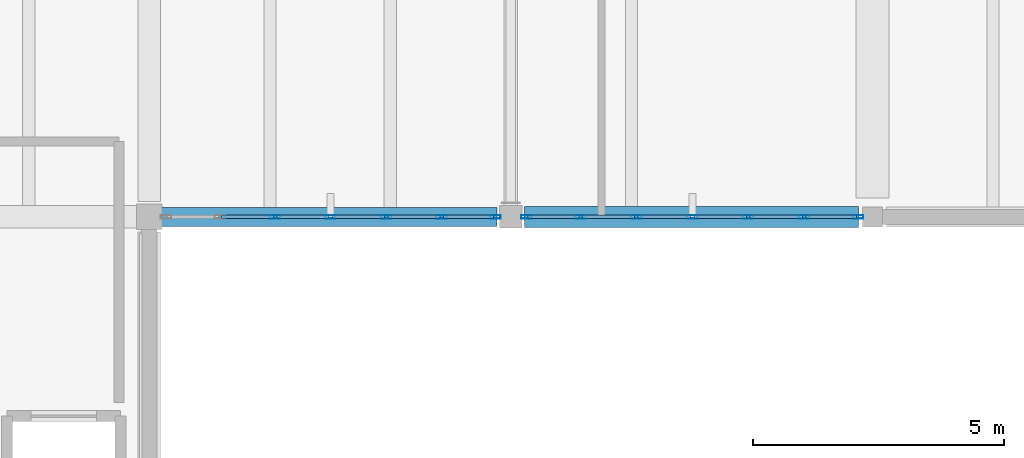
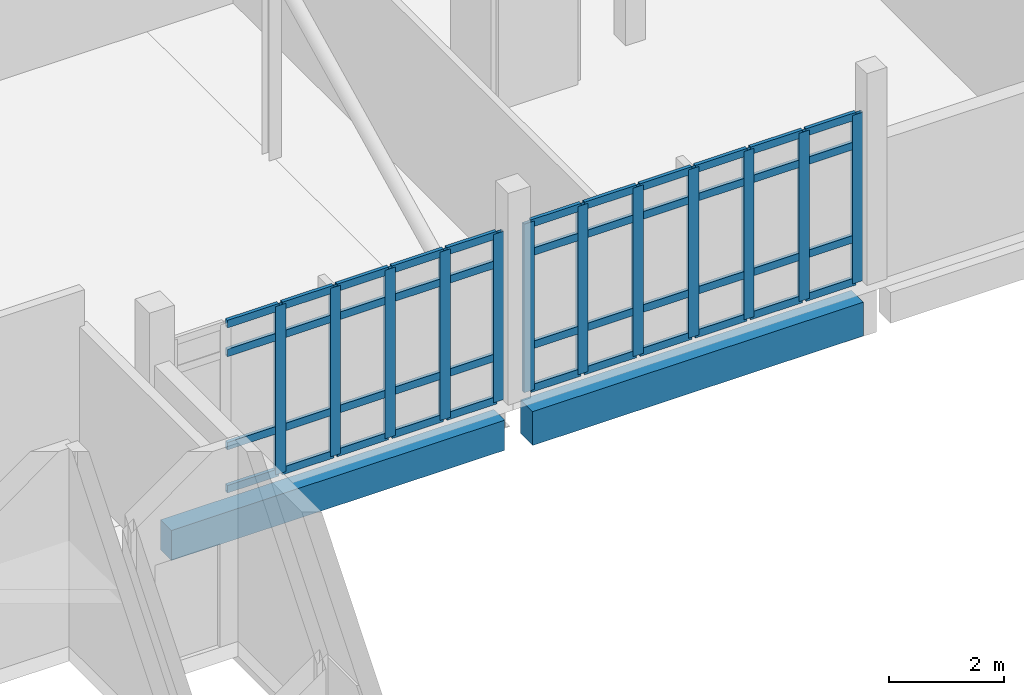
# One storey, part 8 of 34: 56 members, 2 beams, 2 elements without a shape of their own.
"""IFC4 building model written with IfcOpenShell, lengths in metres."""

from ifc_helpers import new_model, si_unit, direction, frame, origin, origin_2d, place, context, subcontext, project, spatial, rectangle, hollow_rectangle, extrude, material, material_profile, profile_set, type_object, element, aggregate, save


model = new_model("IFC4")

# Units and contexts
model_context = context("Model", 3, precision=1e-05, world=origin(), true_north=direction((0.0, 1.0)))
body_context = subcontext(model_context, "Body", "Model", "MODEL_VIEW")
ifc_project = project(units=[si_unit("LENGTHUNIT", "METRE"), si_unit("AREAUNIT", "SQUARE_METRE"), si_unit("VOLUMEUNIT", "CUBIC_METRE"), si_unit("PLANEANGLEUNIT", "RADIAN"), si_unit("MASSUNIT", "GRAM", prefix="KILO")], contexts=[model_context])

# Site, building, storey
site_placement = place(None, origin())
site = spatial("IfcSite", under=ifc_project, at=site_placement, CompositionType="ELEMENT")
building_placement = place(site_placement, origin())
building = spatial("IfcBuilding", under=site, at=building_placement, Name="Kalluvel Institute of Natural Sciences", CompositionType="ELEMENT")
storey_placement = place(building_placement, frame((0.0, 0.0, 36.89990234375)))
storey = spatial("IfcBuildingStorey", under=building, at=storey_placement, Name="L08", CompositionType="ELEMENT", Elevation=36.89990234375)

# Beams
ifc_material_1 = material(Name="Concrete M40", Category="concrete")
ifc_material_profile_1 = material_profile(ifc_material_1, rectangle(XDim=0.3798828125, YDim=0.639892578125, at=origin_2d()), Name="RCB 380x640")
ifc_profile_set_1 = profile_set([ifc_material_profile_1], Name="Concrete M40")
beam_type_1 = type_object("IfcBeamType", Name="BM-RC380x640", PredefinedType="BEAM", material=ifc_profile_set_1)
beam_1_placement = place(storey_placement, frame((57.425048828125, 102.800048828125, -0.639892578125), z_axis=(1.0, 0.0, 0.0), x_axis=(0.0, 1.0, 0.0)))
element("IfcBeam", 1, at=beam_1_placement, inside=storey, type_object=beam_type_1, Name="L08 girder GIR-L08-EW-X572-Y1028", PredefinedType="BEAM", context=body_context, shape_type="SweptSolid", body=[
    extrude(rectangle(XDim=0.3798828125, YDim=0.639892578125, at=origin_2d()), origin(), (0.0, 0.0, 1.0), 6.699951171875),
])
ifc_material_profile_2 = material_profile(ifc_material_1, rectangle(XDim=0.419921875, YDim=0.719970703125, at=origin_2d()), Name="RCB 420x720")
ifc_profile_set_2 = profile_set([ifc_material_profile_2], Name="Concrete M40")
beam_type_2 = type_object("IfcBeamType", Name="BM-RC420x720", PredefinedType="BEAM", material=ifc_profile_set_2)
beam_2_placement = place(storey_placement, frame((64.675048828125, 102.800048828125, -0.679931640625), z_axis=(1.0, 0.0, 0.0), x_axis=(0.0, 1.0, 0.0)))
element("IfcBeam", 2, at=beam_2_placement, inside=storey, type_object=beam_type_2, Name="L08 girder GIR-L08-EW-X644-Y1028", PredefinedType="BEAM", context=body_context, shape_type="SweptSolid", body=[
    extrude(rectangle(XDim=0.419921875, YDim=0.719970703125, at=origin_2d()), origin(), (0.0, 0.0, 1.0), 6.64990234375),
])

# Curtain wall, members
ifc_material_2 = material(Name="Aluminium AW-6063 T6", Category="aluminium")
curtain_wall_type = type_object("IfcCurtainWallType", Name="CW-WET-45", PredefinedType="USERDEFINED", material=ifc_material_2)
curtain_wall_1_placement = place(storey_placement, origin())
curtain_wall_1 = element("IfcCurtainWall", 3, at=curtain_wall_1_placement, inside=storey, type_object=curtain_wall_type, Name="L08 Gothic lancet curtain wall CWA-L08-X575-Y1028", ObjectType="UNITISED LANCET FACADE", PredefinedType="USERDEFINED")
ifc_material_profile_3 = material_profile(ifc_material_2, hollow_rectangle(XDim=0.070068359375, YDim=0.2099609375, WallThickness=0.0048828125, at=origin_2d()), Name="CWM 70x210")
ifc_profile_set_3 = profile_set([ifc_material_profile_3], Name="Aluminium AW-6063 T6")
member_type_1 = type_object("IfcMemberType", Name="CWM-70x210", PredefinedType="MULLION", material=ifc_profile_set_3)
member_1_placement = place(storey_placement, frame((59.708251953125, 102.800048828125, 0.0), z_axis=(0.0, 0.0, 1.0), x_axis=(0.0, 1.0, 0.0)))
member_1 = element("IfcMember", 4, at=member_1_placement, type_object=member_type_1, Name="CW-01 mullion 3", PredefinedType="MULLION", context=body_context, shape_type="SweptSolid", body=[
    extrude(hollow_rectangle(XDim=0.070068359375, YDim=0.2099609375, WallThickness=0.0048828125, at=origin_2d()), origin(), (0.0, 0.0, 1.0), 3.580078125),
])
member_2_placement = place(storey_placement, frame((60.8125, 102.800048828125, 0.0), z_axis=(0.0, 0.0, 1.0), x_axis=(0.0, 1.0, 0.0)))
member_2 = element("IfcMember", 5, at=member_2_placement, type_object=member_type_1, Name="CW-01 mullion 4", PredefinedType="MULLION", context=body_context, shape_type="SweptSolid", body=[
    extrude(hollow_rectangle(XDim=0.070068359375, YDim=0.2099609375, WallThickness=0.0048828125, at=origin_2d()), origin(), (0.0, 0.0, 1.0), 3.580078125),
])
member_3_placement = place(storey_placement, frame((61.916748046875, 102.800048828125, 0.0), z_axis=(0.0, 0.0, 1.0), x_axis=(0.0, 1.0, 0.0)))
member_3 = element("IfcMember", 6, at=member_3_placement, type_object=member_type_1, Name="CW-01 mullion 5", PredefinedType="MULLION", context=body_context, shape_type="SweptSolid", body=[
    extrude(hollow_rectangle(XDim=0.070068359375, YDim=0.2099609375, WallThickness=0.0048828125, at=origin_2d()), origin(), (0.0, 0.0, 1.0), 3.580078125),
])
member_4_placement = place(storey_placement, frame((63.020751953125, 102.800048828125, 0.0), z_axis=(0.0, 0.0, 1.0), x_axis=(0.0, 1.0, 0.0)))
member_4 = element("IfcMember", 7, at=member_4_placement, type_object=member_type_1, Name="CW-01 mullion 6", PredefinedType="MULLION", context=body_context, shape_type="SweptSolid", body=[
    extrude(hollow_rectangle(XDim=0.070068359375, YDim=0.2099609375, WallThickness=0.0048828125, at=origin_2d()), origin(), (0.0, 0.0, 1.0), 3.580078125),
])
member_5_placement = place(storey_placement, frame((64.090087890625, 102.800048828125, 0.0), z_axis=(0.0, 0.0, 1.0), x_axis=(0.0, 1.0, 0.0)))
member_5 = element("IfcMember", 8, at=member_5_placement, type_object=member_type_1, Name="CW-01 mullion 7", PredefinedType="MULLION", context=body_context, shape_type="SweptSolid", body=[
    extrude(hollow_rectangle(XDim=0.070068359375, YDim=0.2099609375, WallThickness=0.0048828125, at=origin_2d()), origin(), (0.0, 0.0, 1.0), 3.580078125),
])

curtain_wall_2_placement = place(storey_placement, origin())
curtain_wall_2 = element("IfcCurtainWall", 9, at=curtain_wall_2_placement, inside=storey, type_object=curtain_wall_type, Name="L08 Gothic lancet curtain wall CWA-L08-X647-Y1028", ObjectType="UNITISED LANCET FACADE", PredefinedType="USERDEFINED")
member_6_placement = place(storey_placement, frame((64.7099609375, 102.800048828125, 0.0), z_axis=(0.0, 0.0, 1.0), x_axis=(0.0, 1.0, 0.0)))
member_6 = element("IfcMember", 10, at=member_6_placement, type_object=member_type_1, Name="CW-01 mullion 1", PredefinedType="MULLION", context=body_context, shape_type="SweptSolid", body=[
    extrude(hollow_rectangle(XDim=0.070068359375, YDim=0.2099609375, WallThickness=0.0048828125, at=origin_2d()), origin(), (0.0, 0.0, 1.0), 3.580078125),
])
member_7_placement = place(storey_placement, frame((65.78759765625, 102.800048828125, 0.0), z_axis=(0.0, 0.0, 1.0), x_axis=(0.0, 1.0, 0.0)))
member_7 = element("IfcMember", 11, at=member_7_placement, type_object=member_type_1, Name="CW-01 mullion 2", PredefinedType="MULLION", context=body_context, shape_type="SweptSolid", body=[
    extrude(hollow_rectangle(XDim=0.070068359375, YDim=0.2099609375, WallThickness=0.0048828125, at=origin_2d()), origin(), (0.0, 0.0, 1.0), 3.580078125),
])
member_8_placement = place(storey_placement, frame((66.89990234375, 102.800048828125, 0.0), z_axis=(0.0, 0.0, 1.0), x_axis=(0.0, 1.0, 0.0)))
member_8 = element("IfcMember", 12, at=member_8_placement, type_object=member_type_1, Name="CW-01 mullion 3", PredefinedType="MULLION", context=body_context, shape_type="SweptSolid", body=[
    extrude(hollow_rectangle(XDim=0.070068359375, YDim=0.2099609375, WallThickness=0.0048828125, at=origin_2d()), origin(), (0.0, 0.0, 1.0), 3.580078125),
])
member_9_placement = place(storey_placement, frame((68.012451171875, 102.800048828125, 0.0), z_axis=(0.0, 0.0, 1.0), x_axis=(0.0, 1.0, 0.0)))
member_9 = element("IfcMember", 13, at=member_9_placement, type_object=member_type_1, Name="CW-01 mullion 4", PredefinedType="MULLION", context=body_context, shape_type="SweptSolid", body=[
    extrude(hollow_rectangle(XDim=0.070068359375, YDim=0.2099609375, WallThickness=0.0048828125, at=origin_2d()), origin(), (0.0, 0.0, 1.0), 3.580078125),
])
member_10_placement = place(storey_placement, frame((69.125, 102.800048828125, 0.0), z_axis=(0.0, 0.0, 1.0), x_axis=(0.0, 1.0, 0.0)))
member_10 = element("IfcMember", 14, at=member_10_placement, type_object=member_type_1, Name="CW-01 mullion 5", PredefinedType="MULLION", context=body_context, shape_type="SweptSolid", body=[
    extrude(hollow_rectangle(XDim=0.070068359375, YDim=0.2099609375, WallThickness=0.0048828125, at=origin_2d()), origin(), (0.0, 0.0, 1.0), 3.580078125),
])
member_11_placement = place(storey_placement, frame((70.237548828125, 102.800048828125, 0.0), z_axis=(0.0, 0.0, 1.0), x_axis=(0.0, 1.0, 0.0)))
member_11 = element("IfcMember", 15, at=member_11_placement, type_object=member_type_1, Name="CW-01 mullion 6", PredefinedType="MULLION", context=body_context, shape_type="SweptSolid", body=[
    extrude(hollow_rectangle(XDim=0.070068359375, YDim=0.2099609375, WallThickness=0.0048828125, at=origin_2d()), origin(), (0.0, 0.0, 1.0), 3.580078125),
])
member_12_placement = place(storey_placement, frame((71.31494140625, 102.800048828125, 0.0), z_axis=(0.0, 0.0, 1.0), x_axis=(0.0, 1.0, 0.0)))
member_12 = element("IfcMember", 16, at=member_12_placement, type_object=member_type_1, Name="CW-01 mullion 7", PredefinedType="MULLION", context=body_context, shape_type="SweptSolid", body=[
    extrude(hollow_rectangle(XDim=0.070068359375, YDim=0.2099609375, WallThickness=0.0048828125, at=origin_2d()), origin(), (0.0, 0.0, 1.0), 3.580078125),
])

# Member
ifc_material_profile_4 = material_profile(ifc_material_2, hollow_rectangle(XDim=0.070068359375, YDim=0.159912109375, WallThickness=0.0048828125, at=origin_2d()), Name="CWT 70x160")
ifc_profile_set_4 = profile_set([ifc_material_profile_4], Name="Aluminium AW-6063 T6")
member_type_2 = type_object("IfcMemberType", Name="CWT-70x160", PredefinedType="USERDEFINED", material=ifc_profile_set_4)
member_13_placement = place(storey_placement, frame((58.63916015625, 102.800048828125, 0.03515625), z_axis=(1.0, 0.0, 0.0), x_axis=(0.0, 1.0, 0.0)))
member_13 = element("IfcMember", 17, at=member_13_placement, type_object=member_type_2, Name="CW-01 transom 2.1", ObjectType="TRANSOM", PredefinedType="USERDEFINED", context=body_context, shape_type="SweptSolid", body=[
    extrude(hollow_rectangle(XDim=0.070068359375, YDim=0.159912109375, WallThickness=0.0048828125, at=origin_2d()), origin(), (0.0, 0.0, 1.0), 1.0341796875),
])

member_14_placement = place(storey_placement, frame((58.63916015625, 102.800048828125, 0.9501953125), z_axis=(1.0, 0.0, 0.0), x_axis=(0.0, 1.0, 0.0)))
member_14 = element("IfcMember", 18, at=member_14_placement, type_object=member_type_2, Name="CW-01 transom 2.2", ObjectType="TRANSOM", PredefinedType="USERDEFINED", context=body_context, shape_type="SweptSolid", body=[
    extrude(hollow_rectangle(XDim=0.070068359375, YDim=0.159912109375, WallThickness=0.0048828125, at=origin_2d()), origin(), (0.0, 0.0, 1.0), 1.0341796875),
])

member_15_placement = place(storey_placement, frame((58.63916015625, 102.800048828125, 2.93017578125), z_axis=(1.0, 0.0, 0.0), x_axis=(0.0, 1.0, 0.0)))
member_15 = element("IfcMember", 19, at=member_15_placement, type_object=member_type_2, Name="CW-01 transom 2.3", ObjectType="TRANSOM", PredefinedType="USERDEFINED", context=body_context, shape_type="SweptSolid", body=[
    extrude(hollow_rectangle(XDim=0.070068359375, YDim=0.159912109375, WallThickness=0.0048828125, at=origin_2d()), origin(), (0.0, 0.0, 1.0), 1.0341796875),
])

member_16_placement = place(storey_placement, frame((58.63916015625, 102.800048828125, 3.545166015625), z_axis=(1.0, 0.0, 0.0), x_axis=(0.0, 1.0, 0.0)))
member_16 = element("IfcMember", 20, at=member_16_placement, type_object=member_type_2, Name="CW-01 transom 2.4", ObjectType="TRANSOM", PredefinedType="USERDEFINED", context=body_context, shape_type="SweptSolid", body=[
    extrude(hollow_rectangle(XDim=0.070068359375, YDim=0.159912109375, WallThickness=0.0048828125, at=origin_2d()), origin(), (0.0, 0.0, 1.0), 1.0341796875),
])

member_17_placement = place(storey_placement, frame((59.743408203125, 102.800048828125, 0.03515625), z_axis=(1.0, 0.0, 0.0), x_axis=(0.0, 1.0, 0.0)))
member_17 = element("IfcMember", 21, at=member_17_placement, type_object=member_type_2, Name="CW-01 transom 3.1", ObjectType="TRANSOM", PredefinedType="USERDEFINED", context=body_context, shape_type="SweptSolid", body=[
    extrude(hollow_rectangle(XDim=0.070068359375, YDim=0.159912109375, WallThickness=0.0048828125, at=origin_2d()), origin(), (0.0, 0.0, 1.0), 1.0341796875),
])

member_18_placement = place(storey_placement, frame((59.743408203125, 102.800048828125, 0.9501953125), z_axis=(1.0, 0.0, 0.0), x_axis=(0.0, 1.0, 0.0)))
member_18 = element("IfcMember", 22, at=member_18_placement, type_object=member_type_2, Name="CW-01 transom 3.2", ObjectType="TRANSOM", PredefinedType="USERDEFINED", context=body_context, shape_type="SweptSolid", body=[
    extrude(hollow_rectangle(XDim=0.070068359375, YDim=0.159912109375, WallThickness=0.0048828125, at=origin_2d()), origin(), (0.0, 0.0, 1.0), 1.0341796875),
])

member_19_placement = place(storey_placement, frame((59.743408203125, 102.800048828125, 2.93017578125), z_axis=(1.0, 0.0, 0.0), x_axis=(0.0, 1.0, 0.0)))
member_19 = element("IfcMember", 23, at=member_19_placement, type_object=member_type_2, Name="CW-01 transom 3.3", ObjectType="TRANSOM", PredefinedType="USERDEFINED", context=body_context, shape_type="SweptSolid", body=[
    extrude(hollow_rectangle(XDim=0.070068359375, YDim=0.159912109375, WallThickness=0.0048828125, at=origin_2d()), origin(), (0.0, 0.0, 1.0), 1.0341796875),
])

member_20_placement = place(storey_placement, frame((59.743408203125, 102.800048828125, 3.545166015625), z_axis=(1.0, 0.0, 0.0), x_axis=(0.0, 1.0, 0.0)))
member_20 = element("IfcMember", 24, at=member_20_placement, type_object=member_type_2, Name="CW-01 transom 3.4", ObjectType="TRANSOM", PredefinedType="USERDEFINED", context=body_context, shape_type="SweptSolid", body=[
    extrude(hollow_rectangle(XDim=0.070068359375, YDim=0.159912109375, WallThickness=0.0048828125, at=origin_2d()), origin(), (0.0, 0.0, 1.0), 1.0341796875),
])

member_21_placement = place(storey_placement, frame((60.847412109375, 102.800048828125, 0.03515625), z_axis=(1.0, 0.0, 0.0), x_axis=(0.0, 1.0, 0.0)))
member_21 = element("IfcMember", 25, at=member_21_placement, type_object=member_type_2, Name="CW-01 transom 4.1", ObjectType="TRANSOM", PredefinedType="USERDEFINED", context=body_context, shape_type="SweptSolid", body=[
    extrude(hollow_rectangle(XDim=0.070068359375, YDim=0.159912109375, WallThickness=0.0048828125, at=origin_2d()), origin(), (0.0, 0.0, 1.0), 1.0341796875),
])

member_22_placement = place(storey_placement, frame((60.847412109375, 102.800048828125, 0.9501953125), z_axis=(1.0, 0.0, 0.0), x_axis=(0.0, 1.0, 0.0)))
member_22 = element("IfcMember", 26, at=member_22_placement, type_object=member_type_2, Name="CW-01 transom 4.2", ObjectType="TRANSOM", PredefinedType="USERDEFINED", context=body_context, shape_type="SweptSolid", body=[
    extrude(hollow_rectangle(XDim=0.070068359375, YDim=0.159912109375, WallThickness=0.0048828125, at=origin_2d()), origin(), (0.0, 0.0, 1.0), 1.0341796875),
])

member_23_placement = place(storey_placement, frame((60.847412109375, 102.800048828125, 2.93017578125), z_axis=(1.0, 0.0, 0.0), x_axis=(0.0, 1.0, 0.0)))
member_23 = element("IfcMember", 27, at=member_23_placement, type_object=member_type_2, Name="CW-01 transom 4.3", ObjectType="TRANSOM", PredefinedType="USERDEFINED", context=body_context, shape_type="SweptSolid", body=[
    extrude(hollow_rectangle(XDim=0.070068359375, YDim=0.159912109375, WallThickness=0.0048828125, at=origin_2d()), origin(), (0.0, 0.0, 1.0), 1.0341796875),
])

member_24_placement = place(storey_placement, frame((60.847412109375, 102.800048828125, 3.545166015625), z_axis=(1.0, 0.0, 0.0), x_axis=(0.0, 1.0, 0.0)))
member_24 = element("IfcMember", 28, at=member_24_placement, type_object=member_type_2, Name="CW-01 transom 4.4", ObjectType="TRANSOM", PredefinedType="USERDEFINED", context=body_context, shape_type="SweptSolid", body=[
    extrude(hollow_rectangle(XDim=0.070068359375, YDim=0.159912109375, WallThickness=0.0048828125, at=origin_2d()), origin(), (0.0, 0.0, 1.0), 1.0341796875),
])

member_25_placement = place(storey_placement, frame((61.95166015625, 102.800048828125, 0.03515625), z_axis=(1.0, 0.0, 0.0), x_axis=(0.0, 1.0, 0.0)))
member_25 = element("IfcMember", 29, at=member_25_placement, type_object=member_type_2, Name="CW-01 transom 5.1", ObjectType="TRANSOM", PredefinedType="USERDEFINED", context=body_context, shape_type="SweptSolid", body=[
    extrude(hollow_rectangle(XDim=0.070068359375, YDim=0.159912109375, WallThickness=0.0048828125, at=origin_2d()), origin(), (0.0, 0.0, 1.0), 1.0341796875),
])

member_26_placement = place(storey_placement, frame((61.95166015625, 102.800048828125, 0.9501953125), z_axis=(1.0, 0.0, 0.0), x_axis=(0.0, 1.0, 0.0)))
member_26 = element("IfcMember", 30, at=member_26_placement, type_object=member_type_2, Name="CW-01 transom 5.2", ObjectType="TRANSOM", PredefinedType="USERDEFINED", context=body_context, shape_type="SweptSolid", body=[
    extrude(hollow_rectangle(XDim=0.070068359375, YDim=0.159912109375, WallThickness=0.0048828125, at=origin_2d()), origin(), (0.0, 0.0, 1.0), 1.0341796875),
])

member_27_placement = place(storey_placement, frame((61.95166015625, 102.800048828125, 2.93017578125), z_axis=(1.0, 0.0, 0.0), x_axis=(0.0, 1.0, 0.0)))
member_27 = element("IfcMember", 31, at=member_27_placement, type_object=member_type_2, Name="CW-01 transom 5.3", ObjectType="TRANSOM", PredefinedType="USERDEFINED", context=body_context, shape_type="SweptSolid", body=[
    extrude(hollow_rectangle(XDim=0.070068359375, YDim=0.159912109375, WallThickness=0.0048828125, at=origin_2d()), origin(), (0.0, 0.0, 1.0), 1.0341796875),
])

member_28_placement = place(storey_placement, frame((61.95166015625, 102.800048828125, 3.545166015625), z_axis=(1.0, 0.0, 0.0), x_axis=(0.0, 1.0, 0.0)))
member_28 = element("IfcMember", 32, at=member_28_placement, type_object=member_type_2, Name="CW-01 transom 5.4", ObjectType="TRANSOM", PredefinedType="USERDEFINED", context=body_context, shape_type="SweptSolid", body=[
    extrude(hollow_rectangle(XDim=0.070068359375, YDim=0.159912109375, WallThickness=0.0048828125, at=origin_2d()), origin(), (0.0, 0.0, 1.0), 1.0341796875),
])

member_29_placement = place(storey_placement, frame((63.055908203125, 102.800048828125, 0.03515625), z_axis=(1.0, 0.0, 0.0), x_axis=(0.0, 1.0, 0.0)))
member_29 = element("IfcMember", 33, at=member_29_placement, type_object=member_type_2, Name="CW-01 transom 6.1", ObjectType="TRANSOM", PredefinedType="USERDEFINED", context=body_context, shape_type="SweptSolid", body=[
    extrude(hollow_rectangle(XDim=0.070068359375, YDim=0.159912109375, WallThickness=0.0048828125, at=origin_2d()), origin(), (0.0, 0.0, 1.0), 0.9990234375),
])

member_30_placement = place(storey_placement, frame((63.055908203125, 102.800048828125, 0.9501953125), z_axis=(1.0, 0.0, 0.0), x_axis=(0.0, 1.0, 0.0)))
member_30 = element("IfcMember", 34, at=member_30_placement, type_object=member_type_2, Name="CW-01 transom 6.2", ObjectType="TRANSOM", PredefinedType="USERDEFINED", context=body_context, shape_type="SweptSolid", body=[
    extrude(hollow_rectangle(XDim=0.070068359375, YDim=0.159912109375, WallThickness=0.0048828125, at=origin_2d()), origin(), (0.0, 0.0, 1.0), 0.9990234375),
])

member_31_placement = place(storey_placement, frame((63.055908203125, 102.800048828125, 2.93017578125), z_axis=(1.0, 0.0, 0.0), x_axis=(0.0, 1.0, 0.0)))
member_31 = element("IfcMember", 35, at=member_31_placement, type_object=member_type_2, Name="CW-01 transom 6.3", ObjectType="TRANSOM", PredefinedType="USERDEFINED", context=body_context, shape_type="SweptSolid", body=[
    extrude(hollow_rectangle(XDim=0.070068359375, YDim=0.159912109375, WallThickness=0.0048828125, at=origin_2d()), origin(), (0.0, 0.0, 1.0), 0.9990234375),
])

member_32_placement = place(storey_placement, frame((63.055908203125, 102.800048828125, 3.545166015625), z_axis=(1.0, 0.0, 0.0), x_axis=(0.0, 1.0, 0.0)))
member_32 = element("IfcMember", 36, at=member_32_placement, type_object=member_type_2, Name="CW-01 transom 6.4", ObjectType="TRANSOM", PredefinedType="USERDEFINED", context=body_context, shape_type="SweptSolid", body=[
    extrude(hollow_rectangle(XDim=0.070068359375, YDim=0.159912109375, WallThickness=0.0048828125, at=origin_2d()), origin(), (0.0, 0.0, 1.0), 0.9990234375),
])

aggregate(curtain_wall_1, [member_1, member_2, member_3, member_4, member_5, member_13, member_14, member_15, member_16, member_17, member_18, member_19, member_20, member_21, member_22, member_23, member_24, member_25, member_26, member_27, member_28, member_29, member_30, member_31, member_32])

member_33_placement = place(storey_placement, frame((64.7451171875, 102.800048828125, 0.03515625), z_axis=(1.0, 0.0, 0.0), x_axis=(0.0, 1.0, 0.0)))
member_33 = element("IfcMember", 37, at=member_33_placement, type_object=member_type_2, Name="CW-01 transom 1.1", ObjectType="TRANSOM", PredefinedType="USERDEFINED", context=body_context, shape_type="SweptSolid", body=[
    extrude(hollow_rectangle(XDim=0.070068359375, YDim=0.159912109375, WallThickness=0.0048828125, at=origin_2d()), origin(), (0.0, 0.0, 1.0), 1.00732421875),
])

member_34_placement = place(storey_placement, frame((64.7451171875, 102.800048828125, 0.9501953125), z_axis=(1.0, 0.0, 0.0), x_axis=(0.0, 1.0, 0.0)))
member_34 = element("IfcMember", 38, at=member_34_placement, type_object=member_type_2, Name="CW-01 transom 1.2", ObjectType="TRANSOM", PredefinedType="USERDEFINED", context=body_context, shape_type="SweptSolid", body=[
    extrude(hollow_rectangle(XDim=0.070068359375, YDim=0.159912109375, WallThickness=0.0048828125, at=origin_2d()), origin(), (0.0, 0.0, 1.0), 1.00732421875),
])

member_35_placement = place(storey_placement, frame((64.7451171875, 102.800048828125, 2.93017578125), z_axis=(1.0, 0.0, 0.0), x_axis=(0.0, 1.0, 0.0)))
member_35 = element("IfcMember", 39, at=member_35_placement, type_object=member_type_2, Name="CW-01 transom 1.3", ObjectType="TRANSOM", PredefinedType="USERDEFINED", context=body_context, shape_type="SweptSolid", body=[
    extrude(hollow_rectangle(XDim=0.070068359375, YDim=0.159912109375, WallThickness=0.0048828125, at=origin_2d()), origin(), (0.0, 0.0, 1.0), 1.00732421875),
])

member_36_placement = place(storey_placement, frame((64.7451171875, 102.800048828125, 3.545166015625), z_axis=(1.0, 0.0, 0.0), x_axis=(0.0, 1.0, 0.0)))
member_36 = element("IfcMember", 40, at=member_36_placement, type_object=member_type_2, Name="CW-01 transom 1.4", ObjectType="TRANSOM", PredefinedType="USERDEFINED", context=body_context, shape_type="SweptSolid", body=[
    extrude(hollow_rectangle(XDim=0.070068359375, YDim=0.159912109375, WallThickness=0.0048828125, at=origin_2d()), origin(), (0.0, 0.0, 1.0), 1.00732421875),
])

member_37_placement = place(storey_placement, frame((65.822509765625, 102.800048828125, 0.03515625), z_axis=(1.0, 0.0, 0.0), x_axis=(0.0, 1.0, 0.0)))
member_37 = element("IfcMember", 41, at=member_37_placement, type_object=member_type_2, Name="CW-01 transom 2.1", ObjectType="TRANSOM", PredefinedType="USERDEFINED", context=body_context, shape_type="SweptSolid", body=[
    extrude(hollow_rectangle(XDim=0.070068359375, YDim=0.159912109375, WallThickness=0.0048828125, at=origin_2d()), origin(), (0.0, 0.0, 1.0), 1.04248046875),
])

member_38_placement = place(storey_placement, frame((65.822509765625, 102.800048828125, 0.9501953125), z_axis=(1.0, 0.0, 0.0), x_axis=(0.0, 1.0, 0.0)))
member_38 = element("IfcMember", 42, at=member_38_placement, type_object=member_type_2, Name="CW-01 transom 2.2", ObjectType="TRANSOM", PredefinedType="USERDEFINED", context=body_context, shape_type="SweptSolid", body=[
    extrude(hollow_rectangle(XDim=0.070068359375, YDim=0.159912109375, WallThickness=0.0048828125, at=origin_2d()), origin(), (0.0, 0.0, 1.0), 1.04248046875),
])

member_39_placement = place(storey_placement, frame((65.822509765625, 102.800048828125, 2.93017578125), z_axis=(1.0, 0.0, 0.0), x_axis=(0.0, 1.0, 0.0)))
member_39 = element("IfcMember", 43, at=member_39_placement, type_object=member_type_2, Name="CW-01 transom 2.3", ObjectType="TRANSOM", PredefinedType="USERDEFINED", context=body_context, shape_type="SweptSolid", body=[
    extrude(hollow_rectangle(XDim=0.070068359375, YDim=0.159912109375, WallThickness=0.0048828125, at=origin_2d()), origin(), (0.0, 0.0, 1.0), 1.04248046875),
])

member_40_placement = place(storey_placement, frame((65.822509765625, 102.800048828125, 3.545166015625), z_axis=(1.0, 0.0, 0.0), x_axis=(0.0, 1.0, 0.0)))
member_40 = element("IfcMember", 44, at=member_40_placement, type_object=member_type_2, Name="CW-01 transom 2.4", ObjectType="TRANSOM", PredefinedType="USERDEFINED", context=body_context, shape_type="SweptSolid", body=[
    extrude(hollow_rectangle(XDim=0.070068359375, YDim=0.159912109375, WallThickness=0.0048828125, at=origin_2d()), origin(), (0.0, 0.0, 1.0), 1.04248046875),
])

member_41_placement = place(storey_placement, frame((66.93505859375, 102.800048828125, 0.03515625), z_axis=(1.0, 0.0, 0.0), x_axis=(0.0, 1.0, 0.0)))
member_41 = element("IfcMember", 45, at=member_41_placement, type_object=member_type_2, Name="CW-01 transom 3.1", ObjectType="TRANSOM", PredefinedType="USERDEFINED", context=body_context, shape_type="SweptSolid", body=[
    extrude(hollow_rectangle(XDim=0.070068359375, YDim=0.159912109375, WallThickness=0.0048828125, at=origin_2d()), origin(), (0.0, 0.0, 1.0), 1.04248046875),
])

member_42_placement = place(storey_placement, frame((66.93505859375, 102.800048828125, 0.9501953125), z_axis=(1.0, 0.0, 0.0), x_axis=(0.0, 1.0, 0.0)))
member_42 = element("IfcMember", 46, at=member_42_placement, type_object=member_type_2, Name="CW-01 transom 3.2", ObjectType="TRANSOM", PredefinedType="USERDEFINED", context=body_context, shape_type="SweptSolid", body=[
    extrude(hollow_rectangle(XDim=0.070068359375, YDim=0.159912109375, WallThickness=0.0048828125, at=origin_2d()), origin(), (0.0, 0.0, 1.0), 1.04248046875),
])

member_43_placement = place(storey_placement, frame((66.93505859375, 102.800048828125, 2.93017578125), z_axis=(1.0, 0.0, 0.0), x_axis=(0.0, 1.0, 0.0)))
member_43 = element("IfcMember", 47, at=member_43_placement, type_object=member_type_2, Name="CW-01 transom 3.3", ObjectType="TRANSOM", PredefinedType="USERDEFINED", context=body_context, shape_type="SweptSolid", body=[
    extrude(hollow_rectangle(XDim=0.070068359375, YDim=0.159912109375, WallThickness=0.0048828125, at=origin_2d()), origin(), (0.0, 0.0, 1.0), 1.04248046875),
])

member_44_placement = place(storey_placement, frame((66.93505859375, 102.800048828125, 3.545166015625), z_axis=(1.0, 0.0, 0.0), x_axis=(0.0, 1.0, 0.0)))
member_44 = element("IfcMember", 48, at=member_44_placement, type_object=member_type_2, Name="CW-01 transom 3.4", ObjectType="TRANSOM", PredefinedType="USERDEFINED", context=body_context, shape_type="SweptSolid", body=[
    extrude(hollow_rectangle(XDim=0.070068359375, YDim=0.159912109375, WallThickness=0.0048828125, at=origin_2d()), origin(), (0.0, 0.0, 1.0), 1.04248046875),
])

member_45_placement = place(storey_placement, frame((68.047607421875, 102.800048828125, 0.03515625), z_axis=(1.0, 0.0, 0.0), x_axis=(0.0, 1.0, 0.0)))
member_45 = element("IfcMember", 49, at=member_45_placement, type_object=member_type_2, Name="CW-01 transom 4.1", ObjectType="TRANSOM", PredefinedType="USERDEFINED", context=body_context, shape_type="SweptSolid", body=[
    extrude(hollow_rectangle(XDim=0.070068359375, YDim=0.159912109375, WallThickness=0.0048828125, at=origin_2d()), origin(), (0.0, 0.0, 1.0), 1.04248046875),
])

member_46_placement = place(storey_placement, frame((68.047607421875, 102.800048828125, 0.9501953125), z_axis=(1.0, 0.0, 0.0), x_axis=(0.0, 1.0, 0.0)))
member_46 = element("IfcMember", 50, at=member_46_placement, type_object=member_type_2, Name="CW-01 transom 4.2", ObjectType="TRANSOM", PredefinedType="USERDEFINED", context=body_context, shape_type="SweptSolid", body=[
    extrude(hollow_rectangle(XDim=0.070068359375, YDim=0.159912109375, WallThickness=0.0048828125, at=origin_2d()), origin(), (0.0, 0.0, 1.0), 1.04248046875),
])

member_47_placement = place(storey_placement, frame((68.047607421875, 102.800048828125, 2.93017578125), z_axis=(1.0, 0.0, 0.0), x_axis=(0.0, 1.0, 0.0)))
member_47 = element("IfcMember", 51, at=member_47_placement, type_object=member_type_2, Name="CW-01 transom 4.3", ObjectType="TRANSOM", PredefinedType="USERDEFINED", context=body_context, shape_type="SweptSolid", body=[
    extrude(hollow_rectangle(XDim=0.070068359375, YDim=0.159912109375, WallThickness=0.0048828125, at=origin_2d()), origin(), (0.0, 0.0, 1.0), 1.04248046875),
])

member_48_placement = place(storey_placement, frame((68.047607421875, 102.800048828125, 3.545166015625), z_axis=(1.0, 0.0, 0.0), x_axis=(0.0, 1.0, 0.0)))
member_48 = element("IfcMember", 52, at=member_48_placement, type_object=member_type_2, Name="CW-01 transom 4.4", ObjectType="TRANSOM", PredefinedType="USERDEFINED", context=body_context, shape_type="SweptSolid", body=[
    extrude(hollow_rectangle(XDim=0.070068359375, YDim=0.159912109375, WallThickness=0.0048828125, at=origin_2d()), origin(), (0.0, 0.0, 1.0), 1.04248046875),
])

member_49_placement = place(storey_placement, frame((69.159912109375, 102.800048828125, 0.03515625), z_axis=(1.0, 0.0, 0.0), x_axis=(0.0, 1.0, 0.0)))
member_49 = element("IfcMember", 53, at=member_49_placement, type_object=member_type_2, Name="CW-01 transom 5.1", ObjectType="TRANSOM", PredefinedType="USERDEFINED", context=body_context, shape_type="SweptSolid", body=[
    extrude(hollow_rectangle(XDim=0.070068359375, YDim=0.159912109375, WallThickness=0.0048828125, at=origin_2d()), origin(), (0.0, 0.0, 1.0), 1.04248046875),
])

member_50_placement = place(storey_placement, frame((69.159912109375, 102.800048828125, 0.9501953125), z_axis=(1.0, 0.0, 0.0), x_axis=(0.0, 1.0, 0.0)))
member_50 = element("IfcMember", 54, at=member_50_placement, type_object=member_type_2, Name="CW-01 transom 5.2", ObjectType="TRANSOM", PredefinedType="USERDEFINED", context=body_context, shape_type="SweptSolid", body=[
    extrude(hollow_rectangle(XDim=0.070068359375, YDim=0.159912109375, WallThickness=0.0048828125, at=origin_2d()), origin(), (0.0, 0.0, 1.0), 1.04248046875),
])

member_51_placement = place(storey_placement, frame((69.159912109375, 102.800048828125, 2.93017578125), z_axis=(1.0, 0.0, 0.0), x_axis=(0.0, 1.0, 0.0)))
member_51 = element("IfcMember", 55, at=member_51_placement, type_object=member_type_2, Name="CW-01 transom 5.3", ObjectType="TRANSOM", PredefinedType="USERDEFINED", context=body_context, shape_type="SweptSolid", body=[
    extrude(hollow_rectangle(XDim=0.070068359375, YDim=0.159912109375, WallThickness=0.0048828125, at=origin_2d()), origin(), (0.0, 0.0, 1.0), 1.04248046875),
])

member_52_placement = place(storey_placement, frame((69.159912109375, 102.800048828125, 3.545166015625), z_axis=(1.0, 0.0, 0.0), x_axis=(0.0, 1.0, 0.0)))
member_52 = element("IfcMember", 56, at=member_52_placement, type_object=member_type_2, Name="CW-01 transom 5.4", ObjectType="TRANSOM", PredefinedType="USERDEFINED", context=body_context, shape_type="SweptSolid", body=[
    extrude(hollow_rectangle(XDim=0.070068359375, YDim=0.159912109375, WallThickness=0.0048828125, at=origin_2d()), origin(), (0.0, 0.0, 1.0), 1.04248046875),
])

member_53_placement = place(storey_placement, frame((70.2724609375, 102.800048828125, 0.03515625), z_axis=(1.0, 0.0, 0.0), x_axis=(0.0, 1.0, 0.0)))
member_53 = element("IfcMember", 57, at=member_53_placement, type_object=member_type_2, Name="CW-01 transom 6.1", ObjectType="TRANSOM", PredefinedType="USERDEFINED", context=body_context, shape_type="SweptSolid", body=[
    extrude(hollow_rectangle(XDim=0.070068359375, YDim=0.159912109375, WallThickness=0.0048828125, at=origin_2d()), origin(), (0.0, 0.0, 1.0), 1.007568359375),
])

member_54_placement = place(storey_placement, frame((70.2724609375, 102.800048828125, 0.9501953125), z_axis=(1.0, 0.0, 0.0), x_axis=(0.0, 1.0, 0.0)))
member_54 = element("IfcMember", 58, at=member_54_placement, type_object=member_type_2, Name="CW-01 transom 6.2", ObjectType="TRANSOM", PredefinedType="USERDEFINED", context=body_context, shape_type="SweptSolid", body=[
    extrude(hollow_rectangle(XDim=0.070068359375, YDim=0.159912109375, WallThickness=0.0048828125, at=origin_2d()), origin(), (0.0, 0.0, 1.0), 1.007568359375),
])

member_55_placement = place(storey_placement, frame((70.2724609375, 102.800048828125, 2.93017578125), z_axis=(1.0, 0.0, 0.0), x_axis=(0.0, 1.0, 0.0)))
member_55 = element("IfcMember", 59, at=member_55_placement, type_object=member_type_2, Name="CW-01 transom 6.3", ObjectType="TRANSOM", PredefinedType="USERDEFINED", context=body_context, shape_type="SweptSolid", body=[
    extrude(hollow_rectangle(XDim=0.070068359375, YDim=0.159912109375, WallThickness=0.0048828125, at=origin_2d()), origin(), (0.0, 0.0, 1.0), 1.007568359375),
])

member_56_placement = place(storey_placement, frame((70.2724609375, 102.800048828125, 3.545166015625), z_axis=(1.0, 0.0, 0.0), x_axis=(0.0, 1.0, 0.0)))
member_56 = element("IfcMember", 60, at=member_56_placement, type_object=member_type_2, Name="CW-01 transom 6.4", ObjectType="TRANSOM", PredefinedType="USERDEFINED", context=body_context, shape_type="SweptSolid", body=[
    extrude(hollow_rectangle(XDim=0.070068359375, YDim=0.159912109375, WallThickness=0.0048828125, at=origin_2d()), origin(), (0.0, 0.0, 1.0), 1.007568359375),
])

aggregate(curtain_wall_2, [member_6, member_7, member_8, member_9, member_10, member_11, member_12, member_33, member_34, member_35, member_36, member_37, member_38, member_39, member_40, member_41, member_42, member_43, member_44, member_45, member_46, member_47, member_48, member_49, member_50, member_51, member_52, member_53, member_54, member_55, member_56])

save(model, "model.ifc")
